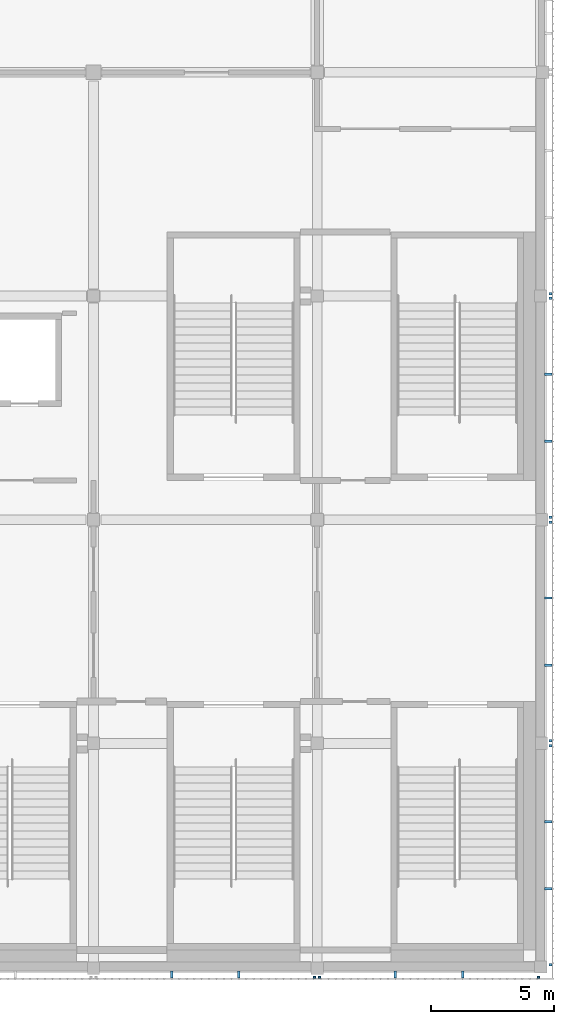
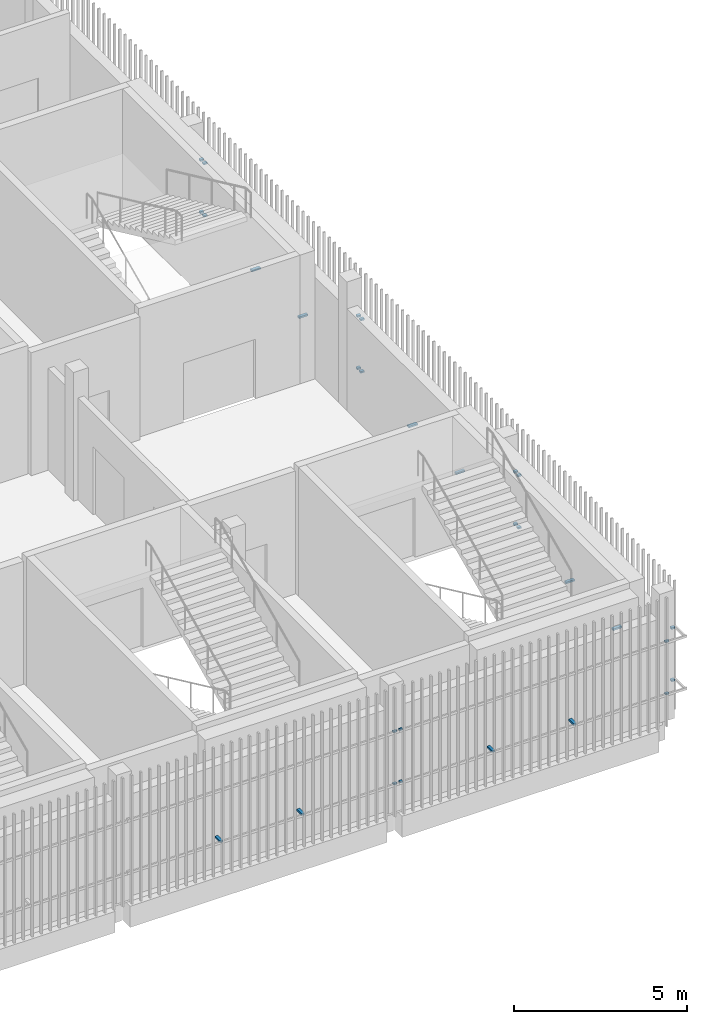
# One storey, part 70 of 91: 30 discrete accessories.
"""IFC4 building model written with IfcOpenShell, lengths in metres."""

from ifc_helpers import new_model, si_unit, direction, frame, origin, origin_2d, place, context, subcontext, project, spatial, rectangle, extrude, material, type_object, element, save


model = new_model("IFC4")

# Units and contexts
model_context = context("Model", 3, precision=1e-05, world=origin(), true_north=direction((0.0, 1.0)))
body_context = subcontext(model_context, "Body", "Model", "MODEL_VIEW")
ifc_project = project(units=[si_unit("LENGTHUNIT", "METRE"), si_unit("AREAUNIT", "SQUARE_METRE"), si_unit("VOLUMEUNIT", "CUBIC_METRE"), si_unit("PLANEANGLEUNIT", "RADIAN"), si_unit("MASSUNIT", "GRAM", prefix="KILO")], contexts=[model_context])

# Site, building, storey
site_placement = place(None, origin())
site = spatial("IfcSite", under=ifc_project, at=site_placement, CompositionType="ELEMENT")
building_placement = place(site_placement, origin())
building = spatial("IfcBuilding", under=site, at=building_placement, Name="Shirokan Park Arena", CompositionType="ELEMENT")
storey_placement = place(building_placement, frame((0.0, 0.0, 24.570068359375)))
storey = spatial("IfcBuildingStorey", under=building, at=storey_placement, Name="L05", CompositionType="ELEMENT", Elevation=24.570068359375)

# Discrete accessories
ifc_material = material(Name="Steel S355", Category="steel")
discrete_accessory_type = type_object("IfcDiscreteAccessoryType", Name="Veil bracket 100x60", PredefinedType="BRACKET", material=ifc_material)
for number, where, z_axis, x_axis, name in (
    (1, (136.39990234375, -0.409912109375, 1.06982421875), (0.0, 0.0, 1.0), (1.0, 0.0, 0.0), "Veil bracket south bay 15 L05 2"),
    (2, (136.39990234375, -0.409912109375, 2.919921875), (0.0, 0.0, 1.0), (1.0, 0.0, 0.0), "Veil bracket south bay 15 L05 4"),
):
    element("IfcDiscreteAccessory", number, at=place(storey_placement, frame(where, z_axis=z_axis, x_axis=x_axis)), inside=storey, type_object=discrete_accessory_type, Name=name, PredefinedType="BRACKET", context=body_context, shape_type="SweptSolid", body=[
        extrude(rectangle(XDim=0.10009765625, YDim=0.070068359375, at=origin_2d()), origin(), (0.0, 0.0, 1.0), 0.06005859375),
    ])
for number, where, z_axis, x_axis, name in (
    (3, (130.5849609375, -0.297607421875, 1.06982421875), (0.0, 0.0, 1.0), (1.0, 0.0, 0.0), "Veil bracket south bay 15 L05 wall 1"),
    (4, (133.31494140625, -0.297607421875, 1.06982421875), (0.0, 0.0, 1.0), (1.0, 0.0, 0.0), "Veil bracket south bay 15 L05 wall 2"),
):
    element("IfcDiscreteAccessory", number, at=place(storey_placement, frame(where, z_axis=z_axis, x_axis=x_axis)), inside=storey, type_object=discrete_accessory_type, Name=name, PredefinedType="BRACKET", context=body_context, shape_type="SweptSolid", body=[
        extrude(rectangle(XDim=0.10009765625, YDim=0.294921875, at=origin_2d()), origin(), (0.0, 0.0, 1.0), 0.06005859375),
    ])
for number, where, z_axis, x_axis, name in (
    (5, (136.60009765625, -0.409912109375, 1.06982421875), (0.0, 0.0, 1.0), (1.0, 0.0, 0.0), "Veil bracket south bay 16 L05 1"),
    (6, (145.5, -0.409912109375, 1.06982421875), (0.0, 0.0, 1.0), (1.0, 0.0, 0.0), "Veil bracket south bay 16 L05 2"),
    (7, (136.60009765625, -0.409912109375, 2.919921875), (0.0, 0.0, 1.0), (1.0, 0.0, 0.0), "Veil bracket south bay 16 L05 3"),
    (8, (145.5, -0.409912109375, 2.919921875), (0.0, 0.0, 1.0), (1.0, 0.0, 0.0), "Veil bracket south bay 16 L05 4"),
):
    element("IfcDiscreteAccessory", number, at=place(storey_placement, frame(where, z_axis=z_axis, x_axis=x_axis)), inside=storey, type_object=discrete_accessory_type, Name=name, PredefinedType="BRACKET", context=body_context, shape_type="SweptSolid", body=[
        extrude(rectangle(XDim=0.10009765625, YDim=0.070068359375, at=origin_2d()), origin(), (0.0, 0.0, 1.0), 0.06005859375),
    ])
for number, where, z_axis, x_axis, name in (
    (9, (139.68505859375, -0.297607421875, 1.06982421875), (0.0, 0.0, 1.0), (1.0, 0.0, 0.0), "Veil bracket south bay 16 L05 wall 1"),
    (10, (142.4150390625, -0.297607421875, 1.06982421875), (0.0, 0.0, 1.0), (1.0, 0.0, 0.0), "Veil bracket south bay 16 L05 wall 2"),
):
    element("IfcDiscreteAccessory", number, at=place(storey_placement, frame(where, z_axis=z_axis, x_axis=x_axis)), inside=storey, type_object=discrete_accessory_type, Name=name, PredefinedType="BRACKET", context=body_context, shape_type="SweptSolid", body=[
        extrude(rectangle(XDim=0.10009765625, YDim=0.294921875, at=origin_2d()), origin(), (0.0, 0.0, 1.0), 0.06005859375),
    ])
for number, where, z_axis, x_axis, name in (
    (11, (145.985107421875, 0.10009765625, 1.06982421875), (0.0, 0.0, 1.0), (0.0, 1.0, 0.0), "Veil bracket east bay 1 L05 1"),
    (12, (145.985107421875, 9.0, 1.06982421875), (0.0, 0.0, 1.0), (0.0, 1.0, 0.0), "Veil bracket east bay 1 L05 2"),
    (13, (145.985107421875, 0.10009765625, 2.919921875), (0.0, 0.0, 1.0), (0.0, 1.0, 0.0), "Veil bracket east bay 1 L05 3"),
    (14, (145.985107421875, 9.0, 2.919921875), (0.0, 0.0, 1.0), (0.0, 1.0, 0.0), "Veil bracket east bay 1 L05 4"),
):
    element("IfcDiscreteAccessory", number, at=place(storey_placement, frame(where, z_axis=z_axis, x_axis=x_axis)), inside=storey, type_object=discrete_accessory_type, Name=name, PredefinedType="BRACKET", context=body_context, shape_type="SweptSolid", body=[
        extrude(rectangle(XDim=0.10009765625, YDim=0.1201171875, at=origin_2d()), origin(), (0.0, 0.0, 1.0), 0.06005859375),
    ])
for number, where, z_axis, x_axis, name in (
    (15, (145.8974609375, 3.18505859375, 1.06982421875), (0.0, 0.0, 1.0), (0.0, 1.0, 0.0), "Veil bracket east bay 1 L05 wall 1"),
    (16, (145.8974609375, 5.9150390625, 1.06982421875), (0.0, 0.0, 1.0), (0.0, 1.0, 0.0), "Veil bracket east bay 1 L05 wall 2"),
):
    element("IfcDiscreteAccessory", number, at=place(storey_placement, frame(where, z_axis=z_axis, x_axis=x_axis)), inside=storey, type_object=discrete_accessory_type, Name=name, PredefinedType="BRACKET", context=body_context, shape_type="SweptSolid", body=[
        extrude(rectangle(XDim=0.10009765625, YDim=0.294921875, at=origin_2d()), origin(), (0.0, 0.0, 1.0), 0.06005859375),
    ])
for number, where, z_axis, x_axis, name in (
    (17, (145.985107421875, 9.199951171875, 1.06982421875), (0.0, 0.0, 1.0), (0.0, 1.0, 0.0), "Veil bracket east bay 2 L05 1"),
    (18, (145.985107421875, 18.10009765625, 1.06982421875), (0.0, 0.0, 1.0), (0.0, 1.0, 0.0), "Veil bracket east bay 2 L05 2"),
    (19, (145.985107421875, 9.199951171875, 2.919921875), (0.0, 0.0, 1.0), (0.0, 1.0, 0.0), "Veil bracket east bay 2 L05 3"),
    (20, (145.985107421875, 18.10009765625, 2.919921875), (0.0, 0.0, 1.0), (0.0, 1.0, 0.0), "Veil bracket east bay 2 L05 4"),
):
    element("IfcDiscreteAccessory", number, at=place(storey_placement, frame(where, z_axis=z_axis, x_axis=x_axis)), inside=storey, type_object=discrete_accessory_type, Name=name, PredefinedType="BRACKET", context=body_context, shape_type="SweptSolid", body=[
        extrude(rectangle(XDim=0.10009765625, YDim=0.1201171875, at=origin_2d()), origin(), (0.0, 0.0, 1.0), 0.06005859375),
    ])
for number, where, z_axis, x_axis, name in (
    (21, (145.8974609375, 12.284912109375, 1.06982421875), (0.0, 0.0, 1.0), (0.0, 1.0, 0.0), "Veil bracket east bay 2 L05 wall 1"),
    (22, (145.8974609375, 15.014892578125, 1.06982421875), (0.0, 0.0, 1.0), (0.0, 1.0, 0.0), "Veil bracket east bay 2 L05 wall 2"),
):
    element("IfcDiscreteAccessory", number, at=place(storey_placement, frame(where, z_axis=z_axis, x_axis=x_axis)), inside=storey, type_object=discrete_accessory_type, Name=name, PredefinedType="BRACKET", context=body_context, shape_type="SweptSolid", body=[
        extrude(rectangle(XDim=0.10009765625, YDim=0.294921875, at=origin_2d()), origin(), (0.0, 0.0, 1.0), 0.06005859375),
    ])
for number, where, z_axis, x_axis, name in (
    (23, (145.985107421875, 18.300048828125, 1.06982421875), (0.0, 0.0, 1.0), (0.0, 1.0, 0.0), "Veil bracket east bay 3 L05 1"),
    (24, (145.985107421875, 27.199951171875, 1.06982421875), (0.0, 0.0, 1.0), (0.0, 1.0, 0.0), "Veil bracket east bay 3 L05 2"),
    (25, (145.985107421875, 18.300048828125, 2.919921875), (0.0, 0.0, 1.0), (0.0, 1.0, 0.0), "Veil bracket east bay 3 L05 3"),
    (26, (145.985107421875, 27.199951171875, 2.919921875), (0.0, 0.0, 1.0), (0.0, 1.0, 0.0), "Veil bracket east bay 3 L05 4"),
):
    element("IfcDiscreteAccessory", number, at=place(storey_placement, frame(where, z_axis=z_axis, x_axis=x_axis)), inside=storey, type_object=discrete_accessory_type, Name=name, PredefinedType="BRACKET", context=body_context, shape_type="SweptSolid", body=[
        extrude(rectangle(XDim=0.10009765625, YDim=0.1201171875, at=origin_2d()), origin(), (0.0, 0.0, 1.0), 0.06005859375),
    ])
for number, where, z_axis, x_axis, name in (
    (27, (145.8974609375, 21.385009765625, 1.06982421875), (0.0, 0.0, 1.0), (0.0, 1.0, 0.0), "Veil bracket east bay 3 L05 wall 1"),
    (28, (145.8974609375, 24.114990234375, 1.06982421875), (0.0, 0.0, 1.0), (0.0, 1.0, 0.0), "Veil bracket east bay 3 L05 wall 2"),
):
    element("IfcDiscreteAccessory", number, at=place(storey_placement, frame(where, z_axis=z_axis, x_axis=x_axis)), inside=storey, type_object=discrete_accessory_type, Name=name, PredefinedType="BRACKET", context=body_context, shape_type="SweptSolid", body=[
        extrude(rectangle(XDim=0.10009765625, YDim=0.294921875, at=origin_2d()), origin(), (0.0, 0.0, 1.0), 0.06005859375),
    ])
for number, where, z_axis, x_axis, name in (
    (29, (145.985107421875, 27.39990234375, 1.06982421875), (0.0, 0.0, 1.0), (0.0, 1.0, 0.0), "Veil bracket east bay 4 L05 1"),
    (30, (145.985107421875, 27.39990234375, 2.919921875), (0.0, 0.0, 1.0), (0.0, 1.0, 0.0), "Veil bracket east bay 4 L05 3"),
):
    element("IfcDiscreteAccessory", number, at=place(storey_placement, frame(where, z_axis=z_axis, x_axis=x_axis)), inside=storey, type_object=discrete_accessory_type, Name=name, PredefinedType="BRACKET", context=body_context, shape_type="SweptSolid", body=[
        extrude(rectangle(XDim=0.10009765625, YDim=0.1201171875, at=origin_2d()), origin(), (0.0, 0.0, 1.0), 0.06005859375),
    ])

save(model, "model.ifc")
